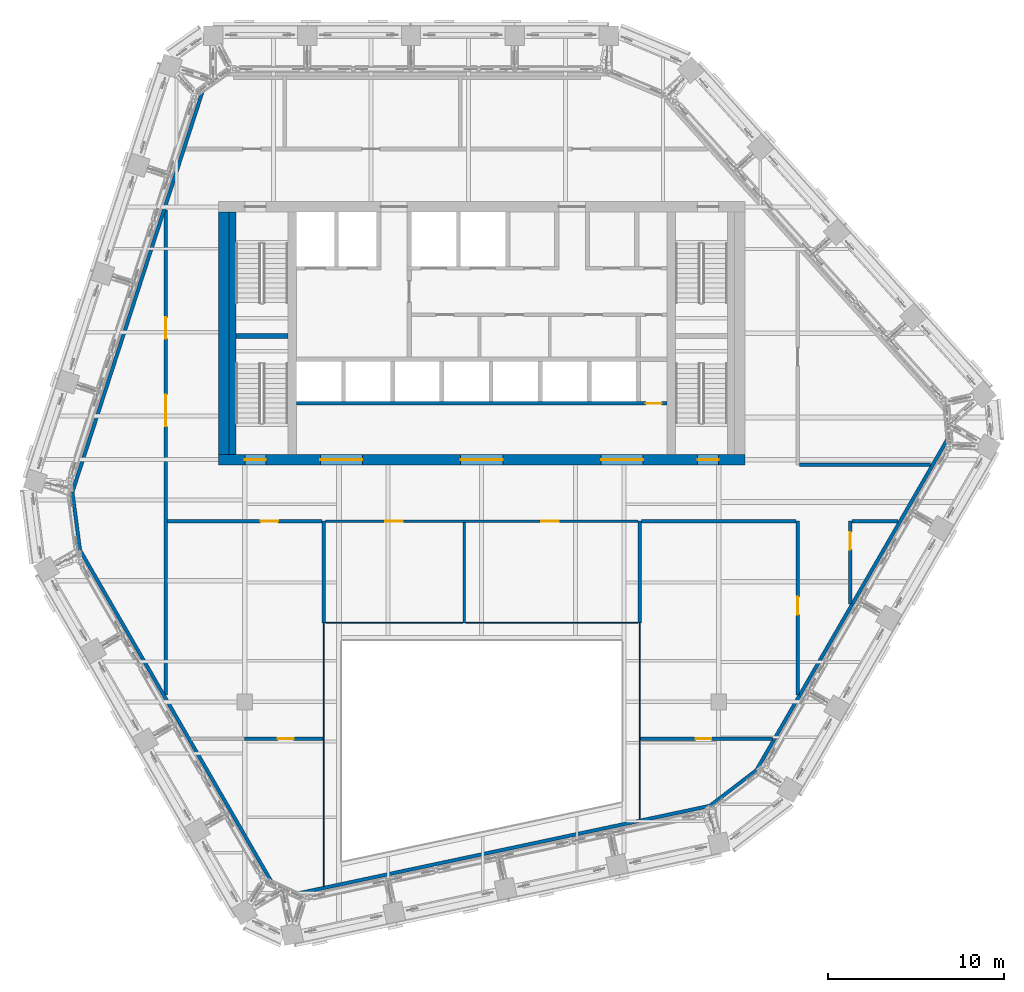
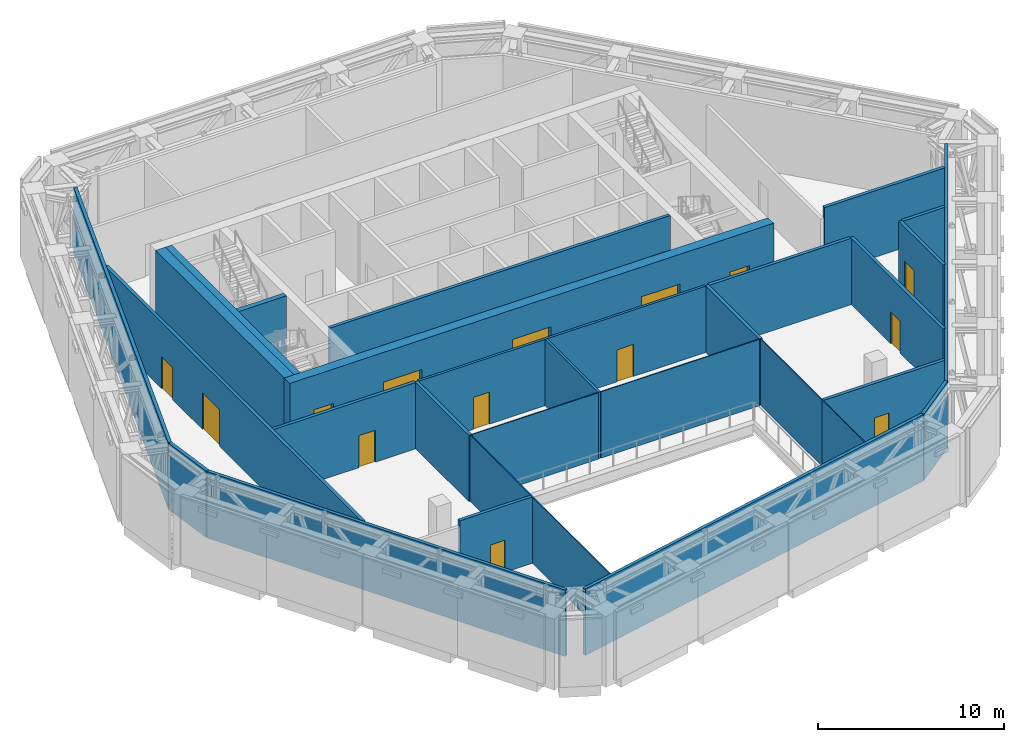
# One storey, part 17 of 25: 30 walls, 15 doors, 15 openings.
"""IFC4 building model written with IfcOpenShell, lengths in metres."""

from ifc_helpers import new_model, si_unit, direction, frame, frame_2d, origin, place, context, subcontext, project, spatial, rectangle, extrude, material, layer, layer_set, type_object, element, fill, save


model = new_model("IFC4")

# Units and contexts
model_context = context("Model", 3, precision=1e-05, world=origin(), true_north=direction((0.0, 1.0)))
body_context = subcontext(model_context, "Body", "Model", "MODEL_VIEW")
ifc_project = project(units=[si_unit("LENGTHUNIT", "METRE"), si_unit("AREAUNIT", "SQUARE_METRE"), si_unit("VOLUMEUNIT", "CUBIC_METRE"), si_unit("PLANEANGLEUNIT", "RADIAN"), si_unit("MASSUNIT", "GRAM", prefix="KILO")], contexts=[model_context])

# Site, building, storey
site_placement = place(None, origin())
site = spatial("IfcSite", under=ifc_project, at=site_placement, CompositionType="ELEMENT")
building_placement = place(site_placement, origin())
building = spatial("IfcBuilding", under=site, at=building_placement, Name="Isthmus Gate Tower", CompositionType="ELEMENT")
storey_placement = place(building_placement, frame((0.0, 0.0, 256.449951171875)))
storey = spatial("IfcBuildingStorey", under=building, at=storey_placement, Name="L65", CompositionType="ELEMENT", Elevation=256.449951171875)

# Wall, opening, door
ifc_material_1 = material(Name="Concrete f'c 30 MPa", Category="concrete")
ifc_layer_1 = layer(ifc_material_1, 0.199951171875)
ifc_layer_set_1 = layer_set([ifc_layer_1], Name="Fire-rated block wall 200")
wall_type_1 = type_object("IfcWallType", Name="Fire-rated block wall 200", PredefinedType="PARTITIONING", material=ifc_layer_set_1)
wall_1_placement = place(storey_placement, frame((-13.514404296875, -15.60009765625, 0.0), z_axis=(0.0, 0.0, 1.0), x_axis=(1.0, 0.0, 0.0)))
wall_1 = element("IfcWall", 1, at=wall_1_placement, inside=storey, type_object=wall_type_1, Name="Fire-rated wall", PredefinedType="PARTITIONING", context=body_context, shape_type="SweptSolid", body=[
    extrude(rectangle(XDim=4.484375, YDim=0.199951171875, at=frame_2d((2.2421875, 0.0))), origin(), (0.0, 0.0, 1.0), 4.35009765625),
])
opening_1_placement = place(wall_1_placement, frame((1.89990234375, 0.0, 0.0)))
opening_1 = element("IfcOpeningElement", 2, at=opening_1_placement, cuts=wall_1, Name="Opening DP65-12", PredefinedType="OPENING", context=body_context, shape_type="SweptSolid", body=[
    extrude(rectangle(XDim=0.89990234375, YDim=2.10009765625, at=frame_2d((0.449951171875, 1.050048828125))), frame((0.0, 0.10986328125, 0.0), z_axis=(0.0, -1.0, 0.0), x_axis=(1.0, 0.0, 0.0)), (0.0, 0.0, 1.0), 0.219970703125),
])
ifc_material_2 = material(Name="Steel fire door with intumescent seals", Category="steel")
door_type_1 = type_object("IfcDoorType", Name="Fire door 900 x 2100", OperationType="SINGLE_SWING_LEFT", PredefinedType="DOOR", material=ifc_material_2)
door_1_placement = place(opening_1_placement, origin())
door_1 = element("IfcDoor", 3, at=door_1_placement, inside=storey, type_object=door_type_1, Name="Door DP65-12", OperationType="SINGLE_SWING_LEFT", OverallHeight=2.10009765625, OverallWidth=0.89990234375, PredefinedType="DOOR", context=body_context, shape_type="SweptSolid", body=[
    extrude(rectangle(XDim=0.89990234375, YDim=2.10009765625, at=frame_2d((0.449951171875, 1.050048828125))), frame((0.0, 0.02490234375, 0.0), z_axis=(0.0, -1.0, 0.0), x_axis=(1.0, 0.0, 0.0)), (0.0, 0.0, 1.0), 0.050048828125),
])
fill(opening_1, door_1)

wall_2_placement = place(storey_placement, frame((9.030029296875, -15.60009765625, 0.0), z_axis=(0.0, 0.0, 1.0), x_axis=(1.0, 0.0, 0.0)))
wall_2 = element("IfcWall", 4, at=wall_2_placement, inside=storey, type_object=wall_type_1, Name="Fire-rated wall", PredefinedType="PARTITIONING", context=body_context, shape_type="SweptSolid", body=[
    extrude(rectangle(XDim=7.5400390625, YDim=0.199951171875, at=frame_2d((3.77001953125, 0.0))), origin(), (0.0, 0.0, 1.0), 4.35009765625),
])
opening_2_placement = place(wall_2_placement, frame((3.14990234375, 0.0, 0.0)))
opening_2 = element("IfcOpeningElement", 5, at=opening_2_placement, cuts=wall_2, Name="Opening DP65-13", PredefinedType="OPENING", context=body_context, shape_type="SweptSolid", body=[
    extrude(rectangle(XDim=0.89990234375, YDim=2.10009765625, at=frame_2d((0.449951171875, 1.050048828125))), frame((0.0, 0.10986328125, 0.0), z_axis=(0.0, -1.0, 0.0), x_axis=(1.0, 0.0, 0.0)), (0.0, 0.0, 1.0), 0.219970703125),
])
door_2_placement = place(opening_2_placement, origin())
door_2 = element("IfcDoor", 6, at=door_2_placement, inside=storey, type_object=door_type_1, Name="Door DP65-13", OperationType="SINGLE_SWING_LEFT", OverallHeight=2.10009765625, OverallWidth=0.89990234375, PredefinedType="DOOR", context=body_context, shape_type="SweptSolid", body=[
    extrude(rectangle(XDim=0.89990234375, YDim=2.10009765625, at=frame_2d((0.449951171875, 1.050048828125))), frame((0.0, 0.02490234375, 0.0), z_axis=(0.0, -1.0, 0.0), x_axis=(1.0, 0.0, 0.0)), (0.0, 0.0, 1.0), 0.050048828125),
])
fill(opening_2, door_2)

wall_3_placement = place(storey_placement, frame((-17.89990234375, -3.199951171875, 0.0), z_axis=(0.0, 0.0, 1.0), x_axis=(1.0, 0.0, 0.0)))
wall_3 = element("IfcWall", 7, at=wall_3_placement, inside=storey, type_object=wall_type_1, Name="Fire-rated wall", PredefinedType="PARTITIONING", context=body_context, shape_type="SweptSolid", body=[
    extrude(rectangle(XDim=8.7998046875, YDim=0.199951171875, at=frame_2d((4.39990234375, 0.0))), origin(), (0.0, 0.0, 1.0), 4.35009765625),
])
opening_3_placement = place(wall_3_placement, frame((5.300048828125, 0.0, 0.0)))
opening_3 = element("IfcOpeningElement", 8, at=opening_3_placement, cuts=wall_3, Name="Opening DP65-09", PredefinedType="OPENING", context=body_context, shape_type="SweptSolid", body=[
    extrude(rectangle(XDim=1.0, YDim=2.10009765625, at=frame_2d((0.5, 1.050048828125))), frame((0.0, 0.10986328125, 0.0), z_axis=(0.0, -1.0, 0.0), x_axis=(1.0, 0.0, 0.0)), (0.0, 0.0, 1.0), 0.219970703125),
])
ifc_material_3 = material(Name="Steel fire door with intumescent seals", Category="steel")
door_type_2 = type_object("IfcDoorType", Name="Fire door 1000 x 2100", OperationType="SINGLE_SWING_LEFT", PredefinedType="DOOR", material=ifc_material_3)
door_3_placement = place(opening_3_placement, origin())
door_3 = element("IfcDoor", 9, at=door_3_placement, inside=storey, type_object=door_type_2, Name="Door DP65-09", OperationType="SINGLE_SWING_LEFT", OverallHeight=2.10009765625, OverallWidth=1.0, PredefinedType="DOOR", context=body_context, shape_type="SweptSolid", body=[
    extrude(rectangle(XDim=1.0, YDim=2.10009765625, at=frame_2d((0.5, 1.050048828125))), frame((0.0, 0.02490234375, 0.0), z_axis=(0.0, -1.0, 0.0), x_axis=(1.0, 0.0, 0.0)), (0.0, 0.0, 1.0), 0.050048828125),
])
fill(opening_3, door_3)

# Walls
wall_4_placement = place(storey_placement, frame((9.10009765625, -3.199951171875, 0.0), z_axis=(0.0, 0.0, 1.0), x_axis=(1.0, 0.0, 0.0)))
element("IfcWall", 10, at=wall_4_placement, inside=storey, type_object=wall_type_1, Name="Fire-rated wall", PredefinedType="PARTITIONING", context=body_context, shape_type="SweptSolid", body=[
    extrude(rectangle(XDim=8.7998046875, YDim=0.199951171875, at=frame_2d((4.39990234375, 0.0))), origin(), (0.0, 0.0, 1.0), 4.35009765625),
])
wall_5_placement = place(storey_placement, frame((21.10009765625, -3.199951171875, 0.0), z_axis=(0.0, 0.0, 1.0), x_axis=(1.0, 0.0, 0.0)))
element("IfcWall", 11, at=wall_5_placement, inside=storey, type_object=wall_type_1, Name="Fire-rated wall", PredefinedType="PARTITIONING", context=body_context, shape_type="SweptSolid", body=[
    extrude(rectangle(XDim=2.62890625, YDim=0.199951171875, at=frame_2d((1.314453125, 0.0))), origin(), (0.0, 0.0, 1.0), 4.35009765625),
])
wall_6_placement = place(storey_placement, frame((18.10009765625, 0.0, 0.0), z_axis=(0.0, 0.0, 1.0), x_axis=(1.0, 0.0, 0.0)))
element("IfcWall", 12, at=wall_6_placement, inside=storey, type_object=wall_type_1, Name="Fire-rated wall", PredefinedType="PARTITIONING", context=body_context, shape_type="SweptSolid", body=[
    extrude(rectangle(XDim=7.4765625, YDim=0.199951171875, at=frame_2d((3.73828125, 0.0))), origin(), (0.0, 0.0, 1.0), 4.35009765625),
])

# Wall, openings, doors
wall_7_placement = place(storey_placement, frame((-18.0, -13.123046875, 0.0), z_axis=(0.0, 0.0, 1.0), x_axis=(0.0, 1.0, 0.0)))
wall_7 = element("IfcWall", 13, at=wall_7_placement, inside=storey, type_object=wall_type_1, Name="Fire-rated wall", PredefinedType="PARTITIONING", context=body_context, shape_type="SweptSolid", body=[
    extrude(rectangle(XDim=27.6357421875, YDim=0.199951171875, at=frame_2d((13.81787109375, 0.0))), origin(), (0.0, 0.0, 1.0), 4.35009765625),
])
opening_4_placement = place(wall_7_placement, frame((15.322998046875, 0.0, 0.0)))
opening_4 = element("IfcOpeningElement", 14, at=opening_4_placement, cuts=wall_7, Name="Opening DP65-01", PredefinedType="OPENING", context=body_context, shape_type="SweptSolid", body=[
    extrude(rectangle(XDim=1.800048828125, YDim=2.39990234375, at=frame_2d((0.89990234375, 1.199951171875))), frame((0.0, 0.10986328125, 0.0), z_axis=(0.0, -1.0, 0.0), x_axis=(1.0, 0.0, 0.0)), (0.0, 0.0, 1.0), 0.219970703125),
])
opening_5_placement = place(wall_7_placement, frame((20.322998046875, 0.0, 0.0)))
opening_5 = element("IfcOpeningElement", 15, at=opening_5_placement, cuts=wall_7, Name="Opening DP65-02", PredefinedType="OPENING", context=body_context, shape_type="SweptSolid", body=[
    extrude(rectangle(XDim=1.199951171875, YDim=2.10009765625, at=frame_2d((0.60009765625, 1.050048828125))), frame((0.0, 0.10986328125, 0.0), z_axis=(0.0, -1.0, 0.0), x_axis=(1.0, 0.0, 0.0)), (0.0, 0.0, 1.0), 0.219970703125),
])
ifc_material_4 = material(Name="Steel fire door with intumescent seals", Category="steel")
door_type_3 = type_object("IfcDoorType", Name="Fire door 1200 x 2100", OperationType="SINGLE_SWING_LEFT", PredefinedType="DOOR", material=ifc_material_4)
door_4_placement = place(opening_5_placement, origin())
door_4 = element("IfcDoor", 16, at=door_4_placement, inside=storey, type_object=door_type_3, Name="Door DP65-02", OperationType="SINGLE_SWING_LEFT", OverallHeight=2.10009765625, OverallWidth=1.199951171875, PredefinedType="DOOR", context=body_context, shape_type="SweptSolid", body=[
    extrude(rectangle(XDim=1.199951171875, YDim=2.10009765625, at=frame_2d((0.60009765625, 1.050048828125))), frame((0.0, 0.02490234375, 0.0), z_axis=(0.0, -1.0, 0.0), x_axis=(1.0, 0.0, 0.0)), (0.0, 0.0, 1.0), 0.050048828125),
])
fill(opening_5, door_4)
ifc_material_5 = material(Name="Steel fire door with intumescent seals", Category="steel")
door_type_4 = type_object("IfcDoorType", Name="Fire door 1800 x 2400", OperationType="SINGLE_SWING_LEFT", PredefinedType="DOOR", material=ifc_material_5)
door_5_placement = place(opening_4_placement, origin())
door_5 = element("IfcDoor", 17, at=door_5_placement, inside=storey, type_object=door_type_4, Name="Door DP65-01", OperationType="SINGLE_SWING_LEFT", OverallHeight=2.39990234375, OverallWidth=1.800048828125, PredefinedType="DOOR", context=body_context, shape_type="SweptSolid", body=[
    extrude(rectangle(XDim=1.800048828125, YDim=2.39990234375, at=frame_2d((0.89990234375, 1.199951171875))), frame((0.0, 0.02490234375, 0.0), z_axis=(0.0, -1.0, 0.0), x_axis=(1.0, 0.0, 0.0)), (0.0, 0.0, 1.0), 0.050048828125),
])
fill(opening_4, door_5)

# Walls
for number, where, z_axis, x_axis, name in (
    (18, (-9.0, -9.0, 0.0), (0.0, 0.0, 1.0), (0.0, 1.0, 0.0), "Fire-rated wall"),
    (19, (9.0, -9.0, 0.0), (0.0, 0.0, 1.0), (0.0, 1.0, 0.0), "Fire-rated wall"),
):
    element("IfcWall", number, at=place(storey_placement, frame(where, z_axis=z_axis, x_axis=x_axis)), inside=storey, type_object=wall_type_1, Name=name, PredefinedType="PARTITIONING", context=body_context, shape_type="SweptSolid", body=[
        extrude(rectangle(XDim=5.800048828125, YDim=0.199951171875, at=frame_2d((2.89990234375, 0.0))), origin(), (0.0, 0.0, 1.0), 4.35009765625),
    ])

# Wall, opening, door
wall_8_placement = place(storey_placement, frame((18.0, -13.123046875, 0.0), z_axis=(0.0, 0.0, 1.0), x_axis=(0.0, 1.0, 0.0)))
wall_8 = element("IfcWall", 20, at=wall_8_placement, inside=storey, type_object=wall_type_1, Name="Fire-rated wall", PredefinedType="PARTITIONING", context=body_context, shape_type="SweptSolid", body=[
    extrude(rectangle(XDim=9.923095703125, YDim=0.199951171875, at=frame_2d((4.96142578125, 0.0))), origin(), (0.0, 0.0, 1.0), 4.35009765625),
])
opening_6_placement = place(wall_8_placement, frame((4.60009765625, 0.0, 0.0)))
opening_6 = element("IfcOpeningElement", 21, at=opening_6_placement, cuts=wall_8, Name="Opening DP65-10", PredefinedType="OPENING", context=body_context, shape_type="SweptSolid", body=[
    extrude(rectangle(XDim=1.0, YDim=2.10009765625, at=frame_2d((0.5, 1.050048828125))), frame((0.0, 0.10986328125, 0.0), z_axis=(0.0, -1.0, 0.0), x_axis=(1.0, 0.0, 0.0)), (0.0, 0.0, 1.0), 0.219970703125),
])
door_6_placement = place(opening_6_placement, origin())
door_6 = element("IfcDoor", 22, at=door_6_placement, inside=storey, type_object=door_type_2, Name="Door DP65-10", OperationType="SINGLE_SWING_LEFT", OverallHeight=2.10009765625, OverallWidth=1.0, PredefinedType="DOOR", context=body_context, shape_type="SweptSolid", body=[
    extrude(rectangle(XDim=1.0, YDim=2.10009765625, at=frame_2d((0.5, 1.050048828125))), frame((0.0, 0.02490234375, 0.0), z_axis=(0.0, -1.0, 0.0), x_axis=(1.0, 0.0, 0.0)), (0.0, 0.0, 1.0), 0.050048828125),
])
fill(opening_6, door_6)

wall_9_placement = place(storey_placement, frame((21.0, -7.927001953125, 0.0), z_axis=(0.0, 0.0, 1.0), x_axis=(0.0, 1.0, 0.0)))
wall_9 = element("IfcWall", 23, at=wall_9_placement, inside=storey, type_object=wall_type_1, Name="Fire-rated wall", PredefinedType="PARTITIONING", context=body_context, shape_type="SweptSolid", body=[
    extrude(rectangle(XDim=4.72705078125, YDim=0.199951171875, at=frame_2d((2.363525390625, 0.0))), origin(), (0.0, 0.0, 1.0), 4.35009765625),
])
opening_7_placement = place(wall_9_placement, frame((3.10009765625, 0.0, 0.0)))
opening_7 = element("IfcOpeningElement", 24, at=opening_7_placement, cuts=wall_9, Name="Opening DP65-11", PredefinedType="OPENING", context=body_context, shape_type="SweptSolid", body=[
    extrude(rectangle(XDim=1.0, YDim=2.10009765625, at=frame_2d((0.5, 1.050048828125))), frame((0.0, 0.10986328125, 0.0), z_axis=(0.0, -1.0, 0.0), x_axis=(1.0, 0.0, 0.0)), (0.0, 0.0, 1.0), 0.219970703125),
])
door_7_placement = place(opening_7_placement, origin())
door_7 = element("IfcDoor", 25, at=door_7_placement, inside=storey, type_object=door_type_2, Name="Door DP65-11", OperationType="SINGLE_SWING_LEFT", OverallHeight=2.10009765625, OverallWidth=1.0, PredefinedType="DOOR", context=body_context, shape_type="SweptSolid", body=[
    extrude(rectangle(XDim=1.0, YDim=2.10009765625, at=frame_2d((0.5, 1.050048828125))), frame((0.0, 0.02490234375, 0.0), z_axis=(0.0, -1.0, 0.0), x_axis=(1.0, 0.0, 0.0)), (0.0, 0.0, 1.0), 0.050048828125),
])
fill(opening_7, door_7)

# Walls
wall_10_placement = place(storey_placement, frame((26.759521484375, 1.848876953125, 0.0), z_axis=(0.0, 0.0, 1.0), x_axis=(-0.499999183719, -0.866025875064, 0.0)))
element("IfcWall", 26, at=wall_10_placement, inside=storey, type_object=wall_type_1, Name="Fire-rated wall", PredefinedType="PARTITIONING", context=body_context, shape_type="SweptSolid", body=[
    extrude(rectangle(XDim=22.22314453125, YDim=0.199951171875, at=frame_2d((11.111572265625, 0.0))), origin(), (0.0, 0.0, 1.0), 4.35009765625),
])
wall_11_placement = place(storey_placement, frame((15.64794921875, -17.39697265625, 0.0), z_axis=(0.0, 0.0, 1.0), x_axis=(-0.794208407405, -0.607645460452, 0.0)))
element("IfcWall", 27, at=wall_11_placement, inside=storey, type_object=wall_type_1, Name="Fire-rated wall", PredefinedType="PARTITIONING", context=body_context, shape_type="SweptSolid", body=[
    extrude(rectangle(XDim=3.339599609375, YDim=0.199951171875, at=frame_2d((1.669921875, 0.0))), origin(), (0.0, 0.0, 1.0), 4.35009765625),
])
wall_12_placement = place(storey_placement, frame((12.99560546875, -19.42626953125, 0.0), z_axis=(0.0, 0.0, 1.0), x_axis=(-0.978147674418, -0.207911344159, 0.0)))
element("IfcWall", 28, at=wall_12_placement, inside=storey, type_object=wall_type_1, Name="Fire-rated wall", PredefinedType="PARTITIONING", context=body_context, shape_type="SweptSolid", body=[
    extrude(rectangle(XDim=24.430419921875, YDim=0.199951171875, at=frame_2d((12.21533203125, 0.0))), origin(), (0.0, 0.0, 1.0), 4.35009765625),
])
wall_13_placement = place(storey_placement, frame((-11.77880859375, -24.098876953125, 0.0), z_axis=(0.0, 0.0, 1.0), x_axis=(-0.499990944252, 0.86603063206, 0.0)))
element("IfcWall", 29, at=wall_13_placement, inside=storey, type_object=wall_type_1, Name="Fire-rated wall", PredefinedType="PARTITIONING", context=body_context, shape_type="SweptSolid", body=[
    extrude(rectangle(XDim=22.22314453125, YDim=0.199951171875, at=frame_2d((11.111572265625, 0.0))), origin(), (0.0, 0.0, 1.0), 4.35009765625),
])
wall_14_placement = place(storey_placement, frame((-22.89013671875, -4.85302734375, 0.0), z_axis=(0.0, 0.0, 1.0), x_axis=(-0.129179787742, 0.991621188982, 0.0)))
element("IfcWall", 30, at=wall_14_placement, inside=storey, type_object=wall_type_1, Name="Fire-rated wall", PredefinedType="PARTITIONING", context=body_context, shape_type="SweptSolid", body=[
    extrude(rectangle(XDim=3.339599609375, YDim=0.199951171875, at=frame_2d((1.669921875, 0.0))), origin(), (0.0, 0.0, 1.0), 4.35009765625),
])
wall_15_placement = place(storey_placement, frame((-23.321533203125, -1.54150390625, 0.0), z_axis=(0.0, 0.0, 1.0), x_axis=(0.30902054225, 0.951055363513, 0.0)))
element("IfcWall", 31, at=wall_15_placement, inside=storey, type_object=wall_type_1, Name="Fire-rated wall", PredefinedType="PARTITIONING", context=body_context, shape_type="SweptSolid", body=[
    extrude(rectangle(XDim=24.4306640625, YDim=0.199951171875, at=frame_2d((12.21533203125, 0.0))), origin(), (0.0, 0.0, 1.0), 4.35009765625),
])
ifc_material_6 = material(Name="Fire-rated laminated glass in steel frame", Category="steel")
ifc_layer_2 = layer(ifc_material_6, 0.06005859375)
ifc_layer_set_2 = layer_set([ifc_layer_2], Name="Fire-rated glazed atrium screen 60")
wall_type_2 = type_object("IfcWallType", Name="Fire-rated glazed atrium screen 60", PredefinedType="PARTITIONING", material=ifc_layer_set_2)
wall_16_placement = place(storey_placement, frame((-8.89990234375, -9.0, 0.0), z_axis=(0.0, 0.0, 1.0), x_axis=(1.0, 0.0, 0.0)))
element("IfcWall", 32, at=wall_16_placement, inside=storey, type_object=wall_type_2, Name="Atrium screen", PredefinedType="PARTITIONING", context=body_context, shape_type="SweptSolid", body=[
    extrude(rectangle(XDim=7.824951171875, YDim=0.06005859375, at=frame_2d((3.91259765625, 0.0))), origin(), (0.0, 0.0, 1.0), 4.35009765625),
])
wall_17_placement = place(storey_placement, frame((-0.925048828125, -9.0, 0.0), z_axis=(0.0, 0.0, 1.0), x_axis=(1.0, 0.0, 0.0)))
element("IfcWall", 33, at=wall_17_placement, inside=storey, type_object=wall_type_2, Name="Atrium screen", PredefinedType="PARTITIONING", context=body_context, shape_type="SweptSolid", body=[
    extrude(rectangle(XDim=9.824951171875, YDim=0.06005859375, at=frame_2d((4.91259765625, 0.0))), origin(), (0.0, 0.0, 1.0), 4.35009765625),
])
wall_18_placement = place(storey_placement, frame((-9.0, -23.999267578125, 0.0), z_axis=(0.0, 0.0, 1.0), x_axis=(0.0, 1.0, 0.0)))
element("IfcWall", 34, at=wall_18_placement, inside=storey, type_object=wall_type_2, Name="Atrium screen", PredefinedType="PARTITIONING", context=body_context, shape_type="SweptSolid", body=[
    extrude(rectangle(XDim=8.398193359375, YDim=0.06005859375, at=frame_2d((4.19921875, 0.0))), origin(), (0.0, 0.0, 1.0), 4.35009765625),
])
wall_19_placement = place(storey_placement, frame((-9.0, -15.59912109375, 0.0), z_axis=(0.0, 0.0, 1.0), x_axis=(0.0, 1.0, 0.0)))
element("IfcWall", 35, at=wall_19_placement, inside=storey, type_object=wall_type_2, Name="Atrium screen", PredefinedType="PARTITIONING", context=body_context, shape_type="SweptSolid", body=[
    extrude(rectangle(XDim=6.59814453125, YDim=0.06005859375, at=frame_2d((3.299072265625, 0.0))), origin(), (0.0, 0.0, 1.0), 4.35009765625),
])
wall_20_placement = place(storey_placement, frame((9.0, -20.17333984375, 0.0), z_axis=(0.0, 0.0, 1.0), x_axis=(0.0, 1.0, 0.0)))
element("IfcWall", 36, at=wall_20_placement, inside=storey, type_object=wall_type_2, Name="Atrium screen", PredefinedType="PARTITIONING", context=body_context, shape_type="SweptSolid", body=[
    extrude(rectangle(XDim=4.572265625, YDim=0.06005859375, at=frame_2d((2.2861328125, 0.0))), origin(), (0.0, 0.0, 1.0), 4.35009765625),
])
wall_21_placement = place(storey_placement, frame((9.0, -15.59912109375, 0.0), z_axis=(0.0, 0.0, 1.0), x_axis=(0.0, 1.0, 0.0)))
element("IfcWall", 37, at=wall_21_placement, inside=storey, type_object=wall_type_2, Name="Atrium screen", PredefinedType="PARTITIONING", context=body_context, shape_type="SweptSolid", body=[
    extrude(rectangle(XDim=6.59814453125, YDim=0.06005859375, at=frame_2d((3.299072265625, 0.0))), origin(), (0.0, 0.0, 1.0), 4.35009765625),
])

# Wall, openings, doors
ifc_material_7 = material(Name="Gypsum board on cold-formed steel studs", Category="steel")
ifc_layer_3 = layer(ifc_material_7, 0.14990234375)
ifc_layer_set_3 = layer_set([ifc_layer_3])
wall_type_3 = type_object("IfcWallType", Name="Partition 150 gypsum board on steel studs", PredefinedType="PARTITIONING", material=ifc_layer_set_3)
wall_22_placement = place(storey_placement, frame((-8.89990234375, -3.199951171875, 0.0), z_axis=(0.0, 0.0, 1.0), x_axis=(1.0, 0.0, 0.0)))
wall_22 = element("IfcWall", 38, at=wall_22_placement, inside=storey, type_object=wall_type_3, Name="Partition", PredefinedType="PARTITIONING", context=body_context, shape_type="SweptSolid", body=[
    extrude(rectangle(XDim=17.7998046875, YDim=0.14990234375, at=frame_2d((8.89990234375, 0.0))), origin(), (0.0, 0.0, 1.0), 4.35009765625),
])
opening_8_placement = place(wall_22_placement, frame((3.39990234375, 0.0, 0.0)))
opening_8 = element("IfcOpeningElement", 39, at=opening_8_placement, cuts=wall_22, Name="Opening DP65-07", PredefinedType="OPENING", context=body_context, shape_type="SweptSolid", body=[
    extrude(rectangle(XDim=1.0, YDim=2.10009765625, at=frame_2d((0.5, 1.050048828125))), frame((0.0, 0.0849609375, 0.0), z_axis=(0.0, -1.0, 0.0), x_axis=(1.0, 0.0, 0.0)), (0.0, 0.0, 1.0), 0.169921875),
])
opening_9_placement = place(wall_22_placement, frame((12.300048828125, 0.0, 0.0)))
opening_9 = element("IfcOpeningElement", 40, at=opening_9_placement, cuts=wall_22, Name="Opening DP65-08", PredefinedType="OPENING", context=body_context, shape_type="SweptSolid", body=[
    extrude(rectangle(XDim=1.0, YDim=2.10009765625, at=frame_2d((0.5, 1.050048828125))), frame((0.0, 0.0849609375, 0.0), z_axis=(0.0, -1.0, 0.0), x_axis=(1.0, 0.0, 0.0)), (0.0, 0.0, 1.0), 0.169921875),
])
ifc_material_8 = material(Name="Hollow metal frame with solid-core timber leaf", Category="wood")
door_type_5 = type_object("IfcDoorType", Name="Single swing door 1000 x 2100", OperationType="SINGLE_SWING_LEFT", PredefinedType="DOOR", material=ifc_material_8)
door_8_placement = place(opening_8_placement, origin())
door_8 = element("IfcDoor", 41, at=door_8_placement, inside=storey, type_object=door_type_5, Name="Door DP65-07", OperationType="SINGLE_SWING_LEFT", OverallHeight=2.10009765625, OverallWidth=1.0, PredefinedType="DOOR", context=body_context, shape_type="SweptSolid", body=[
    extrude(rectangle(XDim=1.0, YDim=2.10009765625, at=frame_2d((0.5, 1.050048828125))), frame((0.0, 0.02490234375, 0.0), z_axis=(0.0, -1.0, 0.0), x_axis=(1.0, 0.0, 0.0)), (0.0, 0.0, 1.0), 0.050048828125),
])
fill(opening_8, door_8)
door_9_placement = place(opening_9_placement, origin())
door_9 = element("IfcDoor", 42, at=door_9_placement, inside=storey, type_object=door_type_5, Name="Door DP65-08", OperationType="SINGLE_SWING_LEFT", OverallHeight=2.10009765625, OverallWidth=1.0, PredefinedType="DOOR", context=body_context, shape_type="SweptSolid", body=[
    extrude(rectangle(XDim=1.0, YDim=2.10009765625, at=frame_2d((0.5, 1.050048828125))), frame((0.0, 0.02490234375, 0.0), z_axis=(0.0, -1.0, 0.0), x_axis=(1.0, 0.0, 0.0)), (0.0, 0.0, 1.0), 0.050048828125),
])
fill(opening_9, door_9)

# Wall
wall_23_placement = place(storey_placement, frame((-1.0, -9.0, 0.0), z_axis=(0.0, 0.0, 1.0), x_axis=(0.0, 1.0, 0.0)))
element("IfcWall", 43, at=wall_23_placement, inside=storey, type_object=wall_type_3, Name="Partition", PredefinedType="PARTITIONING", context=body_context, shape_type="SweptSolid", body=[
    extrude(rectangle(XDim=5.72509765625, YDim=0.14990234375, at=frame_2d((2.862548828125, 0.0))), origin(), (0.0, 0.0, 1.0), 4.35009765625),
])

# Wall, openings, doors
ifc_material_9 = material(Name="Concrete f'c 50 MPa", Category="concrete")
ifc_layer_4 = layer(ifc_material_9, 0.60009765625)
ifc_layer_set_4 = layer_set([ifc_layer_4], Name="RC CORE WALL 600 F'C 50")
wall_type_4 = type_object("IfcWallType", Name="RC CORE WALL 600 F'C 50", PredefinedType="SOLIDWALL", material=ifc_layer_set_4)
wall_24_placement = place(storey_placement, frame((-15.0, 0.300048828125, -0.300048828125), z_axis=(0.0, 0.0, 1.0), x_axis=(1.0, 0.0, 0.0)))
wall_24 = element("IfcWall", 44, at=wall_24_placement, inside=storey, type_object=wall_type_4, Name="str-corewall-L65-S", PredefinedType="SOLIDWALL", context=body_context, shape_type="SweptSolid", body=[
    extrude(rectangle(XDim=30.0, YDim=0.60009765625, at=frame_2d((15.0, 0.0))), origin(), (0.0, 0.0, 1.0), 4.650146484375),
])
opening_10_placement = place(wall_24_placement, frame((5.800048828125, 0.0, 0.300048828125)))
opening_10 = element("IfcOpeningElement", 45, at=opening_10_placement, cuts=wall_24, Name="Opening DC-A21-10", PredefinedType="OPENING", context=body_context, shape_type="SweptSolid", body=[
    extrude(rectangle(XDim=2.39990234375, YDim=2.39990234375, at=frame_2d((1.199951171875, 1.199951171875))), frame((0.0, 0.31005859375, 0.0), z_axis=(0.0, -1.0, 0.0), x_axis=(1.0, 0.0, 0.0)), (0.0, 0.0, 1.0), 0.6201171875),
])
opening_11_placement = place(wall_24_placement, frame((13.800048828125, 0.0, 0.300048828125)))
opening_11 = element("IfcOpeningElement", 46, at=opening_11_placement, cuts=wall_24, Name="Opening DC-A21-11", PredefinedType="OPENING", context=body_context, shape_type="SweptSolid", body=[
    extrude(rectangle(XDim=2.39990234375, YDim=2.39990234375, at=frame_2d((1.199951171875, 1.199951171875))), frame((0.0, 0.31005859375, 0.0), z_axis=(0.0, -1.0, 0.0), x_axis=(1.0, 0.0, 0.0)), (0.0, 0.0, 1.0), 0.6201171875),
])
opening_12_placement = place(wall_24_placement, frame((21.800048828125, 0.0, 0.300048828125)))
opening_12 = element("IfcOpeningElement", 47, at=opening_12_placement, cuts=wall_24, Name="Opening DC-A21-12", PredefinedType="OPENING", context=body_context, shape_type="SweptSolid", body=[
    extrude(rectangle(XDim=2.39990234375, YDim=2.39990234375, at=frame_2d((1.199951171875, 1.199951171875))), frame((0.0, 0.31005859375, 0.0), z_axis=(0.0, -1.0, 0.0), x_axis=(1.0, 0.0, 0.0)), (0.0, 0.0, 1.0), 0.6201171875),
])
opening_13_placement = place(wall_24_placement, frame((1.5, 0.0, 0.300048828125)))
opening_13 = element("IfcOpeningElement", 48, at=opening_13_placement, cuts=wall_24, Name="Opening DC-A21-17", PredefinedType="OPENING", context=body_context, shape_type="SweptSolid", body=[
    extrude(rectangle(XDim=1.199951171875, YDim=2.10009765625, at=frame_2d((0.60009765625, 1.050048828125))), frame((0.0, 0.31005859375, 0.0), z_axis=(0.0, -1.0, 0.0), x_axis=(1.0, 0.0, 0.0)), (0.0, 0.0, 1.0), 0.6201171875),
])
opening_14_placement = place(wall_24_placement, frame((27.300048828125, 0.0, 0.300048828125)))
opening_14 = element("IfcOpeningElement", 49, at=opening_14_placement, cuts=wall_24, Name="Opening DC-A21-18", PredefinedType="OPENING", context=body_context, shape_type="SweptSolid", body=[
    extrude(rectangle(XDim=1.199951171875, YDim=2.10009765625, at=frame_2d((0.60009765625, 1.050048828125))), frame((0.0, 0.31005859375, 0.0), z_axis=(0.0, -1.0, 0.0), x_axis=(1.0, 0.0, 0.0)), (0.0, 0.0, 1.0), 0.6201171875),
])
ifc_material_10 = material(Name="Laminated safety glass in steel frame, fire-rated", Category="steel")
door_type_6 = type_object("IfcDoorType", Name="LOBBY ENTRANCE FIRE DOOR 2400 X 2400 60 MIN", OperationType="DOUBLE_DOOR_DOUBLE_SWING", PredefinedType="DOOR", material=ifc_material_10)
door_10_placement = place(opening_10_placement, origin())
door_10 = element("IfcDoor", 50, at=door_10_placement, inside=storey, type_object=door_type_6, Name="Lobby Entrance PS-W", OperationType="DOUBLE_DOOR_DOUBLE_SWING", OverallHeight=2.39990234375, OverallWidth=2.39990234375, PredefinedType="DOOR", context=body_context, shape_type="SweptSolid", body=[
    extrude(rectangle(XDim=2.39990234375, YDim=2.39990234375, at=frame_2d((1.199951171875, 1.199951171875))), frame((0.0, 0.02490234375, 0.0), z_axis=(0.0, -1.0, 0.0), x_axis=(1.0, 0.0, 0.0)), (0.0, 0.0, 1.0), 0.050048828125),
])
fill(opening_10, door_10)
door_11_placement = place(opening_11_placement, origin())
door_11 = element("IfcDoor", 51, at=door_11_placement, inside=storey, type_object=door_type_6, Name="Lobby Entrance PS-C", OperationType="DOUBLE_DOOR_DOUBLE_SWING", OverallHeight=2.39990234375, OverallWidth=2.39990234375, PredefinedType="DOOR", context=body_context, shape_type="SweptSolid", body=[
    extrude(rectangle(XDim=2.39990234375, YDim=2.39990234375, at=frame_2d((1.199951171875, 1.199951171875))), frame((0.0, 0.02490234375, 0.0), z_axis=(0.0, -1.0, 0.0), x_axis=(1.0, 0.0, 0.0)), (0.0, 0.0, 1.0), 0.050048828125),
])
fill(opening_11, door_11)
door_12_placement = place(opening_12_placement, origin())
door_12 = element("IfcDoor", 52, at=door_12_placement, inside=storey, type_object=door_type_6, Name="Lobby Entrance PS-E", OperationType="DOUBLE_DOOR_DOUBLE_SWING", OverallHeight=2.39990234375, OverallWidth=2.39990234375, PredefinedType="DOOR", context=body_context, shape_type="SweptSolid", body=[
    extrude(rectangle(XDim=2.39990234375, YDim=2.39990234375, at=frame_2d((1.199951171875, 1.199951171875))), frame((0.0, 0.02490234375, 0.0), z_axis=(0.0, -1.0, 0.0), x_axis=(1.0, 0.0, 0.0)), (0.0, 0.0, 1.0), 0.050048828125),
])
fill(opening_12, door_12)
ifc_material_11 = material(Name="Steel door leaf, fire-rated", Category="steel")
door_type_7 = type_object("IfcDoorType", Name="STAIR FIRE DOOR 1200 X 2100 90 MIN", OperationType="SINGLE_SWING_LEFT", PredefinedType="DOOR", material=ifc_material_11)
door_13_placement = place(opening_13_placement, origin())
door_13 = element("IfcDoor", 53, at=door_13_placement, inside=storey, type_object=door_type_7, Name="Exit Stair 7 Door", OperationType="SINGLE_SWING_LEFT", OverallHeight=2.10009765625, OverallWidth=1.199951171875, PredefinedType="DOOR", context=body_context, shape_type="SweptSolid", body=[
    extrude(rectangle(XDim=1.199951171875, YDim=2.10009765625, at=frame_2d((0.60009765625, 1.050048828125))), frame((0.0, 0.02490234375, 0.0), z_axis=(0.0, -1.0, 0.0), x_axis=(1.0, 0.0, 0.0)), (0.0, 0.0, 1.0), 0.050048828125),
])
fill(opening_13, door_13)
door_14_placement = place(opening_14_placement, origin())
door_14 = element("IfcDoor", 54, at=door_14_placement, inside=storey, type_object=door_type_7, Name="Exit Stair 8 Door", OperationType="SINGLE_SWING_RIGHT", OverallHeight=2.10009765625, OverallWidth=1.199951171875, PredefinedType="DOOR", context=body_context, shape_type="SweptSolid", body=[
    extrude(rectangle(XDim=1.199951171875, YDim=2.10009765625, at=frame_2d((0.60009765625, 1.050048828125))), frame((0.0, 0.02490234375, 0.0), z_axis=(0.0, -1.0, 0.0), x_axis=(1.0, 0.0, 0.0)), (0.0, 0.0, 1.0), 0.050048828125),
])
fill(opening_14, door_14)

# Wall
wall_25_placement = place(storey_placement, frame((-14.699951171875, 0.60009765625, -0.300048828125), z_axis=(0.0, 0.0, 1.0), x_axis=(0.0, 1.0, 0.0)))
element("IfcWall", 55, at=wall_25_placement, inside=storey, type_object=wall_type_4, Name="str-corewall-L65-W", PredefinedType="SOLIDWALL", context=body_context, shape_type="SweptSolid", body=[
    extrude(rectangle(XDim=13.7998046875, YDim=0.60009765625, at=frame_2d((6.89990234375, 0.0))), origin(), (0.0, 0.0, 1.0), 4.650146484375),
])

# Wall, opening, door
ifc_material_12 = material(Name="Fire-rated blockwork masonry, 15 MPa", Category="masonry")
ifc_layer_5 = layer(ifc_material_12, 0.199951171875)
ifc_layer_set_5 = layer_set([ifc_layer_5], Name="SHAFT FRONT WALL 200 120 MIN")
wall_type_5 = type_object("IfcWallType", Name="SHAFT FRONT WALL 200 120 MIN", PredefinedType="PARTITIONING", material=ifc_layer_set_5)
wall_26_placement = place(storey_placement, frame((-10.550048828125, 3.5, 0.0), z_axis=(0.0, 0.0, 1.0), x_axis=(1.0, 0.0, 0.0)))
wall_26 = element("IfcWall", 56, at=wall_26_placement, inside=storey, type_object=wall_type_5, Name="L65 SHAFT FRONT WALL 200 120 MIN", PredefinedType="PARTITIONING", context=body_context, shape_type="SweptSolid", body=[
    extrude(rectangle(XDim=21.10009765625, YDim=0.199951171875, at=frame_2d((10.550048828125, 0.0))), origin(), (0.0, 0.0, 1.0), 4.35009765625),
])
opening_15_placement = place(wall_26_placement, frame((19.89990234375, 0.0, 0.0)))
opening_15 = element("IfcOpeningElement", 57, at=opening_15_placement, cuts=wall_26, Name="Opening DC-A21-02", PredefinedType="OPENING", context=body_context, shape_type="SweptSolid", body=[
    extrude(rectangle(XDim=0.89990234375, YDim=2.10009765625, at=frame_2d((0.449951171875, 1.050048828125))), frame((0.0, 0.10986328125, 0.0), z_axis=(0.0, -1.0, 0.0), x_axis=(1.0, 0.0, 0.0)), (0.0, 0.0, 1.0), 0.219970703125),
])
ifc_material_13 = material(Name="Steel door leaf, fire-rated", Category="steel")
door_type_8 = type_object("IfcDoorType", Name="RISER FIRE DOOR 900 X 2100 90 MIN", OperationType="SINGLE_SWING_LEFT", PredefinedType="DOOR", material=ifc_material_13)
door_15_placement = place(opening_15_placement, origin())
door_15 = element("IfcDoor", 58, at=door_15_placement, inside=storey, type_object=door_type_8, Name="Riser Door", OperationType="SINGLE_SWING_RIGHT", OverallHeight=2.10009765625, OverallWidth=0.89990234375, PredefinedType="DOOR", context=body_context, shape_type="SweptSolid", body=[
    extrude(rectangle(XDim=0.89990234375, YDim=2.10009765625, at=frame_2d((0.449951171875, 1.050048828125))), frame((0.0, 0.02490234375, 0.0), z_axis=(0.0, -1.0, 0.0), x_axis=(1.0, 0.0, 0.0)), (0.0, 0.0, 1.0), 0.050048828125),
])
fill(opening_15, door_15)

# Walls
ifc_material_14 = material(Name="Concrete f'c 40 MPa", Category="concrete")
ifc_layer_6 = layer(ifc_material_14, 0.300048828125)
ifc_layer_set_6 = layer_set([ifc_layer_6], Name="STAIR ENCLOSURE WALL 300 180 MIN")
wall_type_6 = type_object("IfcWallType", Name="STAIR ENCLOSURE WALL 300 180 MIN", PredefinedType="SOLIDWALL", material=ifc_layer_set_6)
wall_27_placement = place(storey_placement, frame((-14.0, 7.35009765625, 0.0), z_axis=(0.0, 0.0, 1.0), x_axis=(1.0, 0.0, 0.0)))
element("IfcWall", 59, at=wall_27_placement, inside=storey, type_object=wall_type_6, Name="L65 STAIR ENCLOSURE WALL 300 180 MIN", PredefinedType="SOLIDWALL", context=body_context, shape_type="SweptSolid", body=[
    extrude(rectangle(XDim=2.949951171875, YDim=0.300048828125, at=frame_2d((1.47509765625, 0.0))), origin(), (0.0, 0.0, 1.0), 4.35009765625),
])
ifc_material_15 = material(Name="Concrete f'c 40 MPa", Category="concrete")
ifc_layer_7 = layer(ifc_material_15, 0.39990234375)
ifc_layer_set_7 = layer_set([ifc_layer_7], Name="STAIR ENCLOSURE WALL 400 180 MIN")
wall_type_7 = type_object("IfcWallType", Name="STAIR ENCLOSURE WALL 400 180 MIN", PredefinedType="SOLIDWALL", material=ifc_layer_set_7)
wall_28_placement = place(storey_placement, frame((-14.199951171875, 0.60009765625, 0.0), z_axis=(0.0, 0.0, 1.0), x_axis=(0.0, 1.0, 0.0)))
element("IfcWall", 60, at=wall_28_placement, inside=storey, type_object=wall_type_7, Name="L65 STAIR ENCLOSURE WALL 400 180 MIN", PredefinedType="SOLIDWALL", context=body_context, shape_type="SweptSolid", body=[
    extrude(rectangle(XDim=13.7998046875, YDim=0.39990234375, at=frame_2d((6.89990234375, 0.0))), origin(), (0.0, 0.0, 1.0), 4.35009765625),
])

save(model, "model.ifc")
